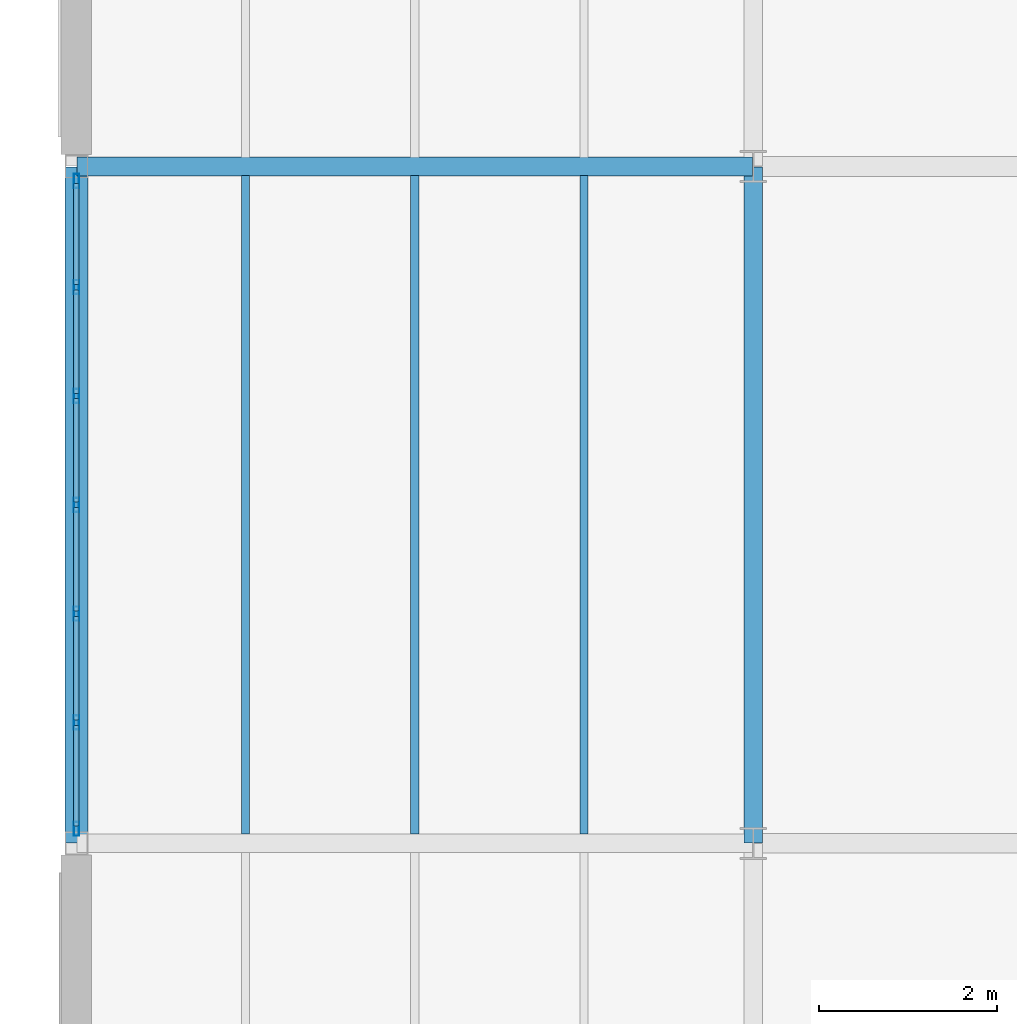
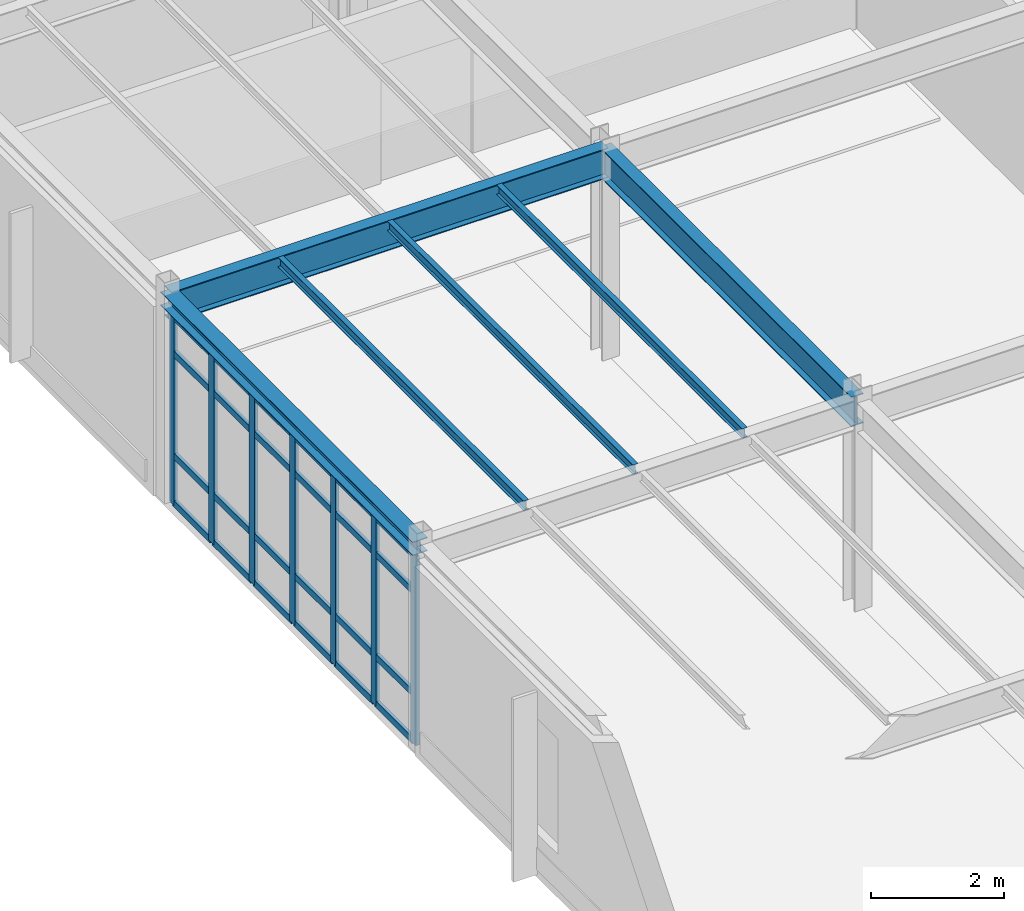
# One storey, part 63 of 189: 31 members, 6 beams, 1 element without a shape of its own.
"""IFC4 building model written with IfcOpenShell, lengths in metres."""

from ifc_helpers import new_model, si_unit, direction, frame, origin, origin_2d, place, context, subcontext, project, spatial, hollow_rectangle, i_section, extrude, material, layer, layer_set, material_profile, profile_set, type_object, element, aggregate, save


model = new_model("IFC4")

# Units and contexts
model_context = context("Model", 3, precision=1e-05, world=origin(), true_north=direction((0.0, 1.0)))
body_context = subcontext(model_context, "Body", "Model", "MODEL_VIEW")
ifc_project = project(units=[si_unit("LENGTHUNIT", "METRE"), si_unit("AREAUNIT", "SQUARE_METRE"), si_unit("VOLUMEUNIT", "CUBIC_METRE"), si_unit("PLANEANGLEUNIT", "RADIAN"), si_unit("MASSUNIT", "GRAM", prefix="KILO")], contexts=[model_context])

# Site, building, storey
site_placement = place(None, origin())
site = spatial("IfcSite", under=ifc_project, at=site_placement, CompositionType="ELEMENT")
building_placement = place(site_placement, origin())
building = spatial("IfcBuilding", under=site, at=building_placement, Name="Montecoro Central Library", CompositionType="ELEMENT")
storey_placement = place(building_placement, frame((0.0, 0.0, 9.179931640625)))
storey = spatial("IfcBuildingStorey", under=building, at=storey_placement, Name="L02", CompositionType="ELEMENT", Elevation=9.179931640625)

# Beams
ifc_material_1 = material(Name="Steel S355J2", Category="steel")
ifc_material_profile_1 = material_profile(ifc_material_1, i_section(OverallWidth=0.2099609375, OverallDepth=0.550048828125, WebThickness=0.010986328125, FlangeThickness=0.01708984375, at=origin_2d()), Name="IPE 550")
ifc_profile_set_1 = profile_set([ifc_material_profile_1], Name="Steel S355J2")
beam_type_1 = type_object("IfcBeamType", Name="BM-G-IPE550", PredefinedType="USERDEFINED", material=ifc_profile_set_1)
for number, where, z_axis, x_axis, name in (
    (1, (5.0048828125, 96.199951171875, 3.550048828125), (1.0, 0.0, 0.0), (0.0, 1.0, 0.0), "V4-L02-BX-12-N"),
    (2, (12.60009765625, 88.60498046875, 3.550048828125), (0.0, 1.0, 0.0), (-1.0, 0.0, 0.0), "V4-L02-BY-2-MN"),
):
    element("IfcBeam", number, at=place(storey_placement, frame(where, z_axis=z_axis, x_axis=x_axis)), inside=storey, type_object=beam_type_1, Name=name, ObjectType="GIRDER", PredefinedType="USERDEFINED", context=body_context, shape_type="SweptSolid", body=[
        extrude(i_section(OverallWidth=0.2099609375, OverallDepth=0.550048828125, WebThickness=0.010986328125, FlangeThickness=0.01708984375, at=origin_2d()), origin(), (0.0, 0.0, 1.0), 7.590087890625),
    ])
ifc_material_2 = material(Name="Steel S355", Category="steel")
ifc_material_profile_2 = material_profile(ifc_material_2, i_section(OverallWidth=0.091064453125, OverallDepth=0.179931640625, WebThickness=0.00537109375, FlangeThickness=0.008056640625, at=origin_2d()), Name="IPE 180")
ifc_profile_set_2 = profile_set([ifc_material_profile_2], Name="Steel S355")
beam_type_2 = type_object("IfcBeamType", Name="BM-J-IPE180", PredefinedType="JOIST", material=ifc_profile_set_2)
for number, where, z_axis, x_axis, name in (
    (3, (6.89990234375, 88.701904296875, 3.735107421875), (0.0, 1.0, 0.0), (-1.0, 0.0, 0.0), "V4-L02-JS-12-MN-1"),
    (4, (8.800048828125, 88.701904296875, 3.735107421875), (0.0, 1.0, 0.0), (-1.0, 0.0, 0.0), "V4-L02-JS-12-MN-2"),
    (5, (10.699951171875, 88.701904296875, 3.735107421875), (0.0, 1.0, 0.0), (-1.0, 0.0, 0.0), "V4-L02-JS-12-MN-3"),
):
    element("IfcBeam", number, at=place(storey_placement, frame(where, z_axis=z_axis, x_axis=x_axis)), inside=storey, type_object=beam_type_2, Name=name, PredefinedType="JOIST", context=body_context, shape_type="SweptSolid", body=[
        extrude(i_section(OverallWidth=0.091064453125, OverallDepth=0.179931640625, WebThickness=0.00537109375, FlangeThickness=0.008056640625, at=origin_2d()), origin(), (0.0, 0.0, 1.0), 7.39599609375),
    ])
ifc_material_profile_3 = material_profile(ifc_material_2, i_section(OverallWidth=0.260009765625, OverallDepth=0.25, WebThickness=0.007568359375, FlangeThickness=0.012451171875, at=origin_2d()), Name="HEA 260")
ifc_profile_set_3 = profile_set([ifc_material_profile_3], Name="Steel S355")
beam_type_3 = type_object("IfcBeamType", Name="BM-SP-HEA260", PredefinedType="SPANDREL", material=ifc_profile_set_3)
beam_placement = place(storey_placement, frame((5.0, 88.60498046875, 3.699951171875), z_axis=(0.0, 1.0, 0.0), x_axis=(-1.0, 0.0, 0.0)))
element("IfcBeam", 6, at=beam_placement, inside=storey, type_object=beam_type_3, Name="V4-L02-BY-1-MN", PredefinedType="SPANDREL", context=body_context, shape_type="SweptSolid", body=[
    extrude(i_section(OverallWidth=0.260009765625, OverallDepth=0.25, WebThickness=0.007568359375, FlangeThickness=0.012451171875, at=origin_2d()), origin(), (0.0, 0.0, 1.0), 7.590087890625),
])

# Curtain wall, members
ifc_material_3 = material(Name="Bronze-anodised aluminium and low-E glazing", Category="aluminium")
ifc_layer = layer(ifc_material_3, 0.159912109375)
ifc_layer_set = layer_set([ifc_layer], Name="Bronze-anodised aluminium and low-E glazing")
curtain_wall_type = type_object("IfcCurtainWallType", Name="CWT-049", PredefinedType="NOTDEFINED", material=ifc_layer_set)
curtain_wall_placement = place(storey_placement, origin())
curtain_wall = element("IfcCurtainWall", 7, at=curtain_wall_placement, inside=storey, type_object=curtain_wall_type, Name="V4-L02-CW-W2", PredefinedType="NOTDEFINED")
ifc_material_4 = material(Name="Bronze-anodised aluminium", Category="aluminium")
ifc_material_profile_4 = material_profile(ifc_material_4, hollow_rectangle(XDim=0.06005859375, YDim=0.159912109375, WallThickness=0.00390625, at=origin_2d()), Name="CWM 160x60x4.0")
ifc_profile_set_4 = profile_set([ifc_material_profile_4], Name="Bronze-anodised aluminium")
member_type_1 = type_object("IfcMemberType", Name="CWM-BRZ-60", PredefinedType="MULLION", material=ifc_profile_set_4)
member_1_placement = place(storey_placement, frame((5.0, 96.037109375, 0.0), z_axis=(0.0, 0.0, 1.0), x_axis=(1.0, 0.0, 0.0)))
member_1 = element("IfcMember", 8, at=member_1_placement, type_object=member_type_1, Name="CW-049 mullion 1", PredefinedType="MULLION", context=body_context, shape_type="SweptSolid", body=[
    extrude(hollow_rectangle(XDim=0.06005859375, YDim=0.159912109375, WallThickness=0.00390625, at=origin_2d()), origin(), (0.0, 0.0, 1.0), 3.47998046875),
])
member_2_placement = place(storey_placement, frame((5.0, 94.8447265625, 0.0), z_axis=(0.0, 0.0, 1.0), x_axis=(1.0, 0.0, 0.0)))
member_2 = element("IfcMember", 9, at=member_2_placement, type_object=member_type_1, Name="CW-049 mullion 2", PredefinedType="MULLION", context=body_context, shape_type="SweptSolid", body=[
    extrude(hollow_rectangle(XDim=0.06005859375, YDim=0.159912109375, WallThickness=0.00390625, at=origin_2d()), origin(), (0.0, 0.0, 1.0), 3.47998046875),
])
member_3_placement = place(storey_placement, frame((5.0, 93.622314453125, 0.0), z_axis=(0.0, 0.0, 1.0), x_axis=(1.0, 0.0, 0.0)))
member_3 = element("IfcMember", 10, at=member_3_placement, type_object=member_type_1, Name="CW-049 mullion 3", PredefinedType="MULLION", context=body_context, shape_type="SweptSolid", body=[
    extrude(hollow_rectangle(XDim=0.06005859375, YDim=0.159912109375, WallThickness=0.00390625, at=origin_2d()), origin(), (0.0, 0.0, 1.0), 3.47998046875),
])
member_4_placement = place(storey_placement, frame((5.0, 92.39990234375, 0.0), z_axis=(0.0, 0.0, 1.0), x_axis=(1.0, 0.0, 0.0)))
member_4 = element("IfcMember", 11, at=member_4_placement, type_object=member_type_1, Name="CW-049 mullion 4", PredefinedType="MULLION", context=body_context, shape_type="SweptSolid", body=[
    extrude(hollow_rectangle(XDim=0.06005859375, YDim=0.159912109375, WallThickness=0.00390625, at=origin_2d()), origin(), (0.0, 0.0, 1.0), 3.47998046875),
])
member_5_placement = place(storey_placement, frame((5.0, 91.177734375, 0.0), z_axis=(0.0, 0.0, 1.0), x_axis=(1.0, 0.0, 0.0)))
member_5 = element("IfcMember", 12, at=member_5_placement, type_object=member_type_1, Name="CW-049 mullion 5", PredefinedType="MULLION", context=body_context, shape_type="SweptSolid", body=[
    extrude(hollow_rectangle(XDim=0.06005859375, YDim=0.159912109375, WallThickness=0.00390625, at=origin_2d()), origin(), (0.0, 0.0, 1.0), 3.47998046875),
])
member_6_placement = place(storey_placement, frame((5.0, 89.955322265625, 0.0), z_axis=(0.0, 0.0, 1.0), x_axis=(1.0, 0.0, 0.0)))
member_6 = element("IfcMember", 13, at=member_6_placement, type_object=member_type_1, Name="CW-049 mullion 6", PredefinedType="MULLION", context=body_context, shape_type="SweptSolid", body=[
    extrude(hollow_rectangle(XDim=0.06005859375, YDim=0.159912109375, WallThickness=0.00390625, at=origin_2d()), origin(), (0.0, 0.0, 1.0), 3.47998046875),
])
member_7_placement = place(storey_placement, frame((5.0, 88.762939453125, 0.0), z_axis=(0.0, 0.0, 1.0), x_axis=(1.0, 0.0, 0.0)))
member_7 = element("IfcMember", 14, at=member_7_placement, type_object=member_type_1, Name="CW-049 mullion 7", PredefinedType="MULLION", context=body_context, shape_type="SweptSolid", body=[
    extrude(hollow_rectangle(XDim=0.06005859375, YDim=0.159912109375, WallThickness=0.00390625, at=origin_2d()), origin(), (0.0, 0.0, 1.0), 3.47998046875),
])
ifc_material_profile_5 = material_profile(ifc_material_4, hollow_rectangle(XDim=0.06005859375, YDim=0.1201171875, WallThickness=0.00390625, at=origin_2d()), Name="CWT 120x60x4.0")
ifc_profile_set_5 = profile_set([ifc_material_profile_5], Name="Bronze-anodised aluminium")
member_type_2 = type_object("IfcMemberType", Name="CWT-BRZ-60", PredefinedType="USERDEFINED", material=ifc_profile_set_5)
member_8_placement = place(storey_placement, frame((5.0, 96.007080078125, 0.030029296875), z_axis=(0.0, -1.0, 0.0), x_axis=(1.0, 0.0, 0.0)))
member_8 = element("IfcMember", 15, at=member_8_placement, type_object=member_type_2, Name="CW-049 transom 1.1", ObjectType="TRANSOM", PredefinedType="USERDEFINED", context=body_context, shape_type="SweptSolid", body=[
    extrude(hollow_rectangle(XDim=0.06005859375, YDim=0.1201171875, WallThickness=0.00390625, at=origin_2d()), origin(), (0.0, 0.0, 1.0), 1.13232421875),
])
member_9_placement = place(storey_placement, frame((5.0, 96.007080078125, 0.900146484375), z_axis=(0.0, -1.0, 0.0), x_axis=(1.0, 0.0, 0.0)))
member_9 = element("IfcMember", 16, at=member_9_placement, type_object=member_type_2, Name="CW-049 transom 1.2", ObjectType="TRANSOM", PredefinedType="USERDEFINED", context=body_context, shape_type="SweptSolid", body=[
    extrude(hollow_rectangle(XDim=0.06005859375, YDim=0.1201171875, WallThickness=0.00390625, at=origin_2d()), origin(), (0.0, 0.0, 1.0), 1.13232421875),
])
member_10_placement = place(storey_placement, frame((5.0, 96.007080078125, 2.780029296875), z_axis=(0.0, -1.0, 0.0), x_axis=(1.0, 0.0, 0.0)))
member_10 = element("IfcMember", 17, at=member_10_placement, type_object=member_type_2, Name="CW-049 transom 1.3", ObjectType="TRANSOM", PredefinedType="USERDEFINED", context=body_context, shape_type="SweptSolid", body=[
    extrude(hollow_rectangle(XDim=0.06005859375, YDim=0.1201171875, WallThickness=0.00390625, at=origin_2d()), origin(), (0.0, 0.0, 1.0), 1.13232421875),
])
member_11_placement = place(storey_placement, frame((5.0, 96.007080078125, 3.449951171875), z_axis=(0.0, -1.0, 0.0), x_axis=(1.0, 0.0, 0.0)))
member_11 = element("IfcMember", 18, at=member_11_placement, type_object=member_type_2, Name="CW-049 transom 1.4", ObjectType="TRANSOM", PredefinedType="USERDEFINED", context=body_context, shape_type="SweptSolid", body=[
    extrude(hollow_rectangle(XDim=0.06005859375, YDim=0.1201171875, WallThickness=0.00390625, at=origin_2d()), origin(), (0.0, 0.0, 1.0), 1.13232421875),
])
member_12_placement = place(storey_placement, frame((5.0, 94.814697265625, 0.030029296875), z_axis=(0.0, -1.0, 0.0), x_axis=(1.0, 0.0, 0.0)))
member_12 = element("IfcMember", 19, at=member_12_placement, type_object=member_type_2, Name="CW-049 transom 2.1", ObjectType="TRANSOM", PredefinedType="USERDEFINED", context=body_context, shape_type="SweptSolid", body=[
    extrude(hollow_rectangle(XDim=0.06005859375, YDim=0.1201171875, WallThickness=0.00390625, at=origin_2d()), origin(), (0.0, 0.0, 1.0), 1.162353515625),
])
member_13_placement = place(storey_placement, frame((5.0, 94.814697265625, 0.900146484375), z_axis=(0.0, -1.0, 0.0), x_axis=(1.0, 0.0, 0.0)))
member_13 = element("IfcMember", 20, at=member_13_placement, type_object=member_type_2, Name="CW-049 transom 2.2", ObjectType="TRANSOM", PredefinedType="USERDEFINED", context=body_context, shape_type="SweptSolid", body=[
    extrude(hollow_rectangle(XDim=0.06005859375, YDim=0.1201171875, WallThickness=0.00390625, at=origin_2d()), origin(), (0.0, 0.0, 1.0), 1.162353515625),
])
member_14_placement = place(storey_placement, frame((5.0, 94.814697265625, 2.780029296875), z_axis=(0.0, -1.0, 0.0), x_axis=(1.0, 0.0, 0.0)))
member_14 = element("IfcMember", 21, at=member_14_placement, type_object=member_type_2, Name="CW-049 transom 2.3", ObjectType="TRANSOM", PredefinedType="USERDEFINED", context=body_context, shape_type="SweptSolid", body=[
    extrude(hollow_rectangle(XDim=0.06005859375, YDim=0.1201171875, WallThickness=0.00390625, at=origin_2d()), origin(), (0.0, 0.0, 1.0), 1.162353515625),
])
member_15_placement = place(storey_placement, frame((5.0, 94.814697265625, 3.449951171875), z_axis=(0.0, -1.0, 0.0), x_axis=(1.0, 0.0, 0.0)))
member_15 = element("IfcMember", 22, at=member_15_placement, type_object=member_type_2, Name="CW-049 transom 2.4", ObjectType="TRANSOM", PredefinedType="USERDEFINED", context=body_context, shape_type="SweptSolid", body=[
    extrude(hollow_rectangle(XDim=0.06005859375, YDim=0.1201171875, WallThickness=0.00390625, at=origin_2d()), origin(), (0.0, 0.0, 1.0), 1.162353515625),
])
member_16_placement = place(storey_placement, frame((5.0, 93.59228515625, 0.030029296875), z_axis=(0.0, -1.0, 0.0), x_axis=(1.0, 0.0, 0.0)))
member_16 = element("IfcMember", 23, at=member_16_placement, type_object=member_type_2, Name="CW-049 transom 3.1", ObjectType="TRANSOM", PredefinedType="USERDEFINED", context=body_context, shape_type="SweptSolid", body=[
    extrude(hollow_rectangle(XDim=0.06005859375, YDim=0.1201171875, WallThickness=0.00390625, at=origin_2d()), origin(), (0.0, 0.0, 1.0), 1.162353515625),
])
member_17_placement = place(storey_placement, frame((5.0, 93.59228515625, 0.900146484375), z_axis=(0.0, -1.0, 0.0), x_axis=(1.0, 0.0, 0.0)))
member_17 = element("IfcMember", 24, at=member_17_placement, type_object=member_type_2, Name="CW-049 transom 3.2", ObjectType="TRANSOM", PredefinedType="USERDEFINED", context=body_context, shape_type="SweptSolid", body=[
    extrude(hollow_rectangle(XDim=0.06005859375, YDim=0.1201171875, WallThickness=0.00390625, at=origin_2d()), origin(), (0.0, 0.0, 1.0), 1.162353515625),
])
member_18_placement = place(storey_placement, frame((5.0, 93.59228515625, 2.780029296875), z_axis=(0.0, -1.0, 0.0), x_axis=(1.0, 0.0, 0.0)))
member_18 = element("IfcMember", 25, at=member_18_placement, type_object=member_type_2, Name="CW-049 transom 3.3", ObjectType="TRANSOM", PredefinedType="USERDEFINED", context=body_context, shape_type="SweptSolid", body=[
    extrude(hollow_rectangle(XDim=0.06005859375, YDim=0.1201171875, WallThickness=0.00390625, at=origin_2d()), origin(), (0.0, 0.0, 1.0), 1.162353515625),
])
member_19_placement = place(storey_placement, frame((5.0, 93.59228515625, 3.449951171875), z_axis=(0.0, -1.0, 0.0), x_axis=(1.0, 0.0, 0.0)))
member_19 = element("IfcMember", 26, at=member_19_placement, type_object=member_type_2, Name="CW-049 transom 3.4", ObjectType="TRANSOM", PredefinedType="USERDEFINED", context=body_context, shape_type="SweptSolid", body=[
    extrude(hollow_rectangle(XDim=0.06005859375, YDim=0.1201171875, WallThickness=0.00390625, at=origin_2d()), origin(), (0.0, 0.0, 1.0), 1.162353515625),
])
member_20_placement = place(storey_placement, frame((5.0, 92.3701171875, 0.030029296875), z_axis=(0.0, -1.0, 0.0), x_axis=(1.0, 0.0, 0.0)))
member_20 = element("IfcMember", 27, at=member_20_placement, type_object=member_type_2, Name="CW-049 transom 4.1", ObjectType="TRANSOM", PredefinedType="USERDEFINED", context=body_context, shape_type="SweptSolid", body=[
    extrude(hollow_rectangle(XDim=0.06005859375, YDim=0.1201171875, WallThickness=0.00390625, at=origin_2d()), origin(), (0.0, 0.0, 1.0), 1.162353515625),
])
member_21_placement = place(storey_placement, frame((5.0, 92.3701171875, 0.900146484375), z_axis=(0.0, -1.0, 0.0), x_axis=(1.0, 0.0, 0.0)))
member_21 = element("IfcMember", 28, at=member_21_placement, type_object=member_type_2, Name="CW-049 transom 4.2", ObjectType="TRANSOM", PredefinedType="USERDEFINED", context=body_context, shape_type="SweptSolid", body=[
    extrude(hollow_rectangle(XDim=0.06005859375, YDim=0.1201171875, WallThickness=0.00390625, at=origin_2d()), origin(), (0.0, 0.0, 1.0), 1.162353515625),
])
member_22_placement = place(storey_placement, frame((5.0, 92.3701171875, 2.780029296875), z_axis=(0.0, -1.0, 0.0), x_axis=(1.0, 0.0, 0.0)))
member_22 = element("IfcMember", 29, at=member_22_placement, type_object=member_type_2, Name="CW-049 transom 4.3", ObjectType="TRANSOM", PredefinedType="USERDEFINED", context=body_context, shape_type="SweptSolid", body=[
    extrude(hollow_rectangle(XDim=0.06005859375, YDim=0.1201171875, WallThickness=0.00390625, at=origin_2d()), origin(), (0.0, 0.0, 1.0), 1.162353515625),
])
member_23_placement = place(storey_placement, frame((5.0, 92.3701171875, 3.449951171875), z_axis=(0.0, -1.0, 0.0), x_axis=(1.0, 0.0, 0.0)))
member_23 = element("IfcMember", 30, at=member_23_placement, type_object=member_type_2, Name="CW-049 transom 4.4", ObjectType="TRANSOM", PredefinedType="USERDEFINED", context=body_context, shape_type="SweptSolid", body=[
    extrude(hollow_rectangle(XDim=0.06005859375, YDim=0.1201171875, WallThickness=0.00390625, at=origin_2d()), origin(), (0.0, 0.0, 1.0), 1.162353515625),
])
member_24_placement = place(storey_placement, frame((5.0, 91.147705078125, 0.030029296875), z_axis=(0.0, -1.0, 0.0), x_axis=(1.0, 0.0, 0.0)))
member_24 = element("IfcMember", 31, at=member_24_placement, type_object=member_type_2, Name="CW-049 transom 5.1", ObjectType="TRANSOM", PredefinedType="USERDEFINED", context=body_context, shape_type="SweptSolid", body=[
    extrude(hollow_rectangle(XDim=0.06005859375, YDim=0.1201171875, WallThickness=0.00390625, at=origin_2d()), origin(), (0.0, 0.0, 1.0), 1.162353515625),
])
member_25_placement = place(storey_placement, frame((5.0, 91.147705078125, 0.900146484375), z_axis=(0.0, -1.0, 0.0), x_axis=(1.0, 0.0, 0.0)))
member_25 = element("IfcMember", 32, at=member_25_placement, type_object=member_type_2, Name="CW-049 transom 5.2", ObjectType="TRANSOM", PredefinedType="USERDEFINED", context=body_context, shape_type="SweptSolid", body=[
    extrude(hollow_rectangle(XDim=0.06005859375, YDim=0.1201171875, WallThickness=0.00390625, at=origin_2d()), origin(), (0.0, 0.0, 1.0), 1.162353515625),
])
member_26_placement = place(storey_placement, frame((5.0, 91.147705078125, 2.780029296875), z_axis=(0.0, -1.0, 0.0), x_axis=(1.0, 0.0, 0.0)))
member_26 = element("IfcMember", 33, at=member_26_placement, type_object=member_type_2, Name="CW-049 transom 5.3", ObjectType="TRANSOM", PredefinedType="USERDEFINED", context=body_context, shape_type="SweptSolid", body=[
    extrude(hollow_rectangle(XDim=0.06005859375, YDim=0.1201171875, WallThickness=0.00390625, at=origin_2d()), origin(), (0.0, 0.0, 1.0), 1.162353515625),
])
member_27_placement = place(storey_placement, frame((5.0, 91.147705078125, 3.449951171875), z_axis=(0.0, -1.0, 0.0), x_axis=(1.0, 0.0, 0.0)))
member_27 = element("IfcMember", 34, at=member_27_placement, type_object=member_type_2, Name="CW-049 transom 5.4", ObjectType="TRANSOM", PredefinedType="USERDEFINED", context=body_context, shape_type="SweptSolid", body=[
    extrude(hollow_rectangle(XDim=0.06005859375, YDim=0.1201171875, WallThickness=0.00390625, at=origin_2d()), origin(), (0.0, 0.0, 1.0), 1.162353515625),
])
member_28_placement = place(storey_placement, frame((5.0, 89.92529296875, 0.030029296875), z_axis=(0.0, -1.0, 0.0), x_axis=(1.0, 0.0, 0.0)))
member_28 = element("IfcMember", 35, at=member_28_placement, type_object=member_type_2, Name="CW-049 transom 6.1", ObjectType="TRANSOM", PredefinedType="USERDEFINED", context=body_context, shape_type="SweptSolid", body=[
    extrude(hollow_rectangle(XDim=0.06005859375, YDim=0.1201171875, WallThickness=0.00390625, at=origin_2d()), origin(), (0.0, 0.0, 1.0), 1.13232421875),
])
member_29_placement = place(storey_placement, frame((5.0, 89.92529296875, 0.900146484375), z_axis=(0.0, -1.0, 0.0), x_axis=(1.0, 0.0, 0.0)))
member_29 = element("IfcMember", 36, at=member_29_placement, type_object=member_type_2, Name="CW-049 transom 6.2", ObjectType="TRANSOM", PredefinedType="USERDEFINED", context=body_context, shape_type="SweptSolid", body=[
    extrude(hollow_rectangle(XDim=0.06005859375, YDim=0.1201171875, WallThickness=0.00390625, at=origin_2d()), origin(), (0.0, 0.0, 1.0), 1.13232421875),
])
member_30_placement = place(storey_placement, frame((5.0, 89.92529296875, 2.780029296875), z_axis=(0.0, -1.0, 0.0), x_axis=(1.0, 0.0, 0.0)))
member_30 = element("IfcMember", 37, at=member_30_placement, type_object=member_type_2, Name="CW-049 transom 6.3", ObjectType="TRANSOM", PredefinedType="USERDEFINED", context=body_context, shape_type="SweptSolid", body=[
    extrude(hollow_rectangle(XDim=0.06005859375, YDim=0.1201171875, WallThickness=0.00390625, at=origin_2d()), origin(), (0.0, 0.0, 1.0), 1.13232421875),
])
member_31_placement = place(storey_placement, frame((5.0, 89.92529296875, 3.449951171875), z_axis=(0.0, -1.0, 0.0), x_axis=(1.0, 0.0, 0.0)))
member_31 = element("IfcMember", 38, at=member_31_placement, type_object=member_type_2, Name="CW-049 transom 6.4", ObjectType="TRANSOM", PredefinedType="USERDEFINED", context=body_context, shape_type="SweptSolid", body=[
    extrude(hollow_rectangle(XDim=0.06005859375, YDim=0.1201171875, WallThickness=0.00390625, at=origin_2d()), origin(), (0.0, 0.0, 1.0), 1.13232421875),
])
aggregate(curtain_wall, [member_1, member_2, member_3, member_4, member_5, member_6, member_7, member_8, member_9, member_10, member_11, member_12, member_13, member_14, member_15, member_16, member_17, member_18, member_19, member_20, member_21, member_22, member_23, member_24, member_25, member_26, member_27, member_28, member_29, member_30, member_31])

save(model, "model.ifc")
